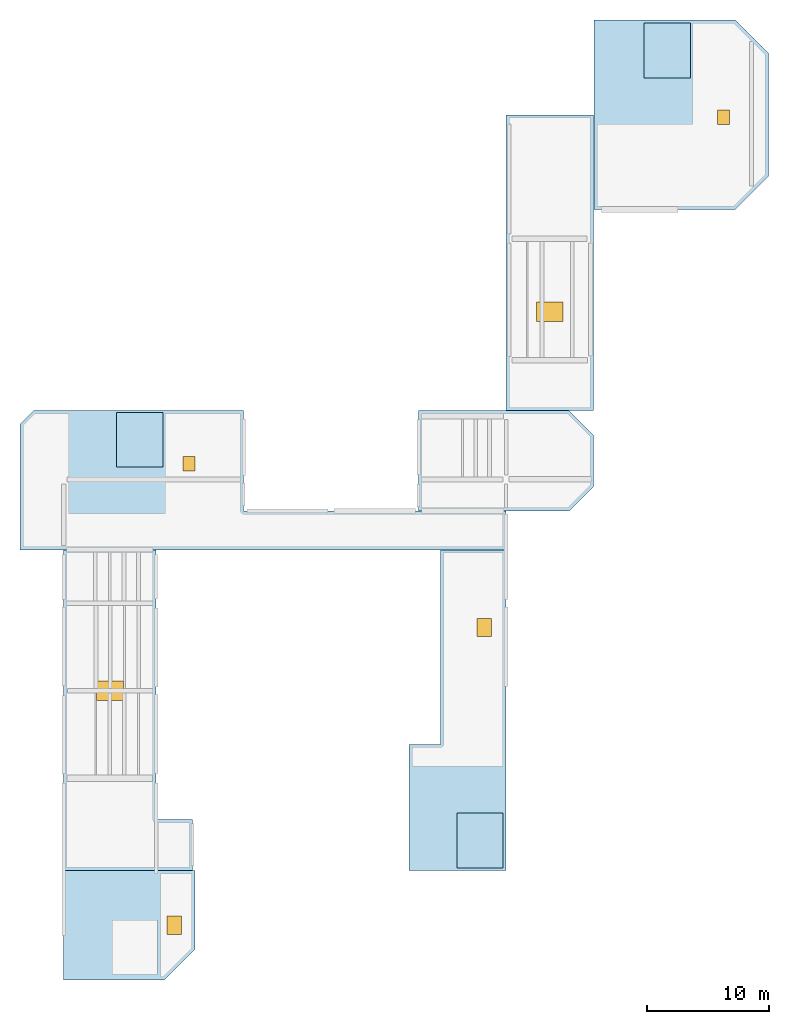
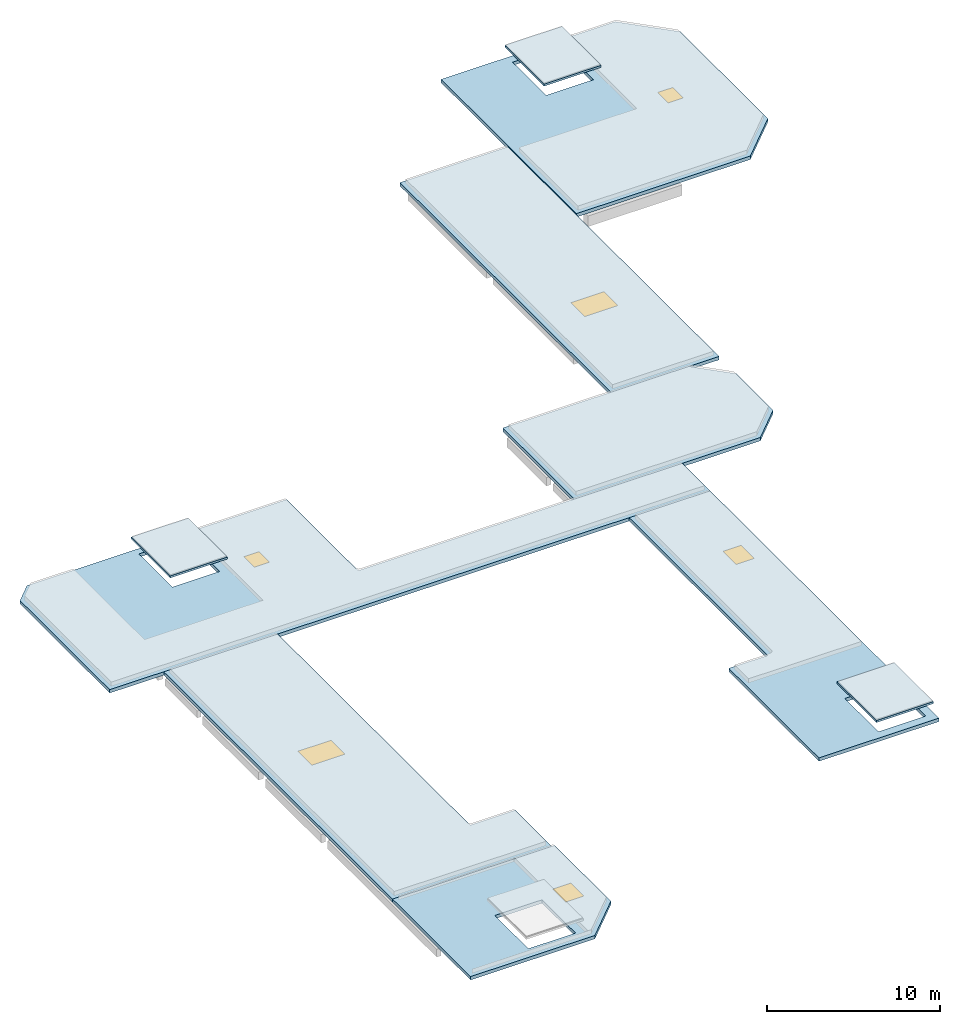
# One storey, part 2 of 3: 10 slabs, 6 windows, 6 openings.
"""IFC4 building model written with IfcOpenShell, lengths in metres."""

from ifc_helpers import new_model, si_unit, direction, frame, origin, origin_2d, place, context, subcontext, project, spatial, polyline, rectangle, outline, extrude, material, layer, layer_set, type_object, element, fill, save


model = new_model("IFC4")

# Units and contexts
model_context = context("Model", 3, precision=1e-05, world=origin(), true_north=direction((0.0, 1.0)))
body_context = subcontext(model_context, "Body", "Model", "MODEL_VIEW")
ifc_project = project(units=[si_unit("LENGTHUNIT", "METRE"), si_unit("AREAUNIT", "SQUARE_METRE"), si_unit("VOLUMEUNIT", "CUBIC_METRE"), si_unit("PLANEANGLEUNIT", "RADIAN"), si_unit("MASSUNIT", "GRAM", prefix="KILO")], contexts=[model_context])

# Site, building, storey
site_placement = place(None, origin())
site = spatial("IfcSite", under=ifc_project, at=site_placement, CompositionType="ELEMENT")
building_placement = place(site_placement, origin())
building = spatial("IfcBuilding", under=site, at=building_placement, Name="Kelanivale Promenade Academy", CompositionType="ELEMENT")
storey_placement = place(building_placement, frame((0.0, 0.0, 24.199951171875)))
storey = spatial("IfcBuildingStorey", under=building, at=storey_placement, Name="RF", CompositionType="ELEMENT", Elevation=24.199951171875)

# Slab, opening, window
ifc_material_1 = material(Name="Concrete C35/45", Category="concrete")
ifc_layer_1 = layer(ifc_material_1, 0.239990234375)
ifc_layer_set_1 = layer_set([ifc_layer_1], Name="Concrete C35/45")
slab_type_1 = type_object("IfcSlabType", Name="RS-01 Slab 240mm", PredefinedType="ROOF", material=ifc_layer_set_1)
slab_1_placement = place(storey_placement, frame((0.0, 0.0, -0.239990234375)))
slab_1 = element("IfcSlab", 1, at=slab_1_placement, inside=storey, type_object=slab_type_1, Name="RF planted roof slab RF-TOP-Z2", PredefinedType="ROOF", context=body_context, shape_type="SweptSolid", body=[
    extrude(outline(polyline([(90.0, 35.52001953125), (90.0, 42.0), (79.199951171875, 42.0), (79.199951171875, 33.0), (87.47998046875, 33.0), (90.0, 35.52001953125)]), holes=[polyline([(86.635009765625, 37.625), (86.635009765625, 33.764892578125), (83.485107421875, 33.764892578125), (83.485107421875, 37.625), (86.635009765625, 37.625)])]), origin(), (0.0, 0.0, 1.0), 0.239990234375),
])
opening_1_placement = place(slab_1_placement, frame((88.300048828125, 37.5, 0.0)))
opening_1 = element("IfcOpeningElement", 2, at=opening_1_placement, cuts=slab_1, Name="Opening RH-06", PredefinedType="OPENING", context=body_context, shape_type="SweptSolid", body=[
    extrude(rectangle(XDim=1.199951171875, YDim=1.5, at=origin_2d()), frame((0.0, 0.0, -0.010009765625)), (0.0, 0.0, 1.0), 0.260009765625),
])
ifc_material_2 = material(Name="Bronze anodised aluminium frame with low-E laminated glass", Category="aluminium")
window_type_1 = type_object("IfcWindowType", Name="RH-02 Skylight 1200x1500", PartitioningType="SINGLE_PANEL", PredefinedType="SKYLIGHT", material=ifc_material_2)
window_1_placement = place(opening_1_placement, frame((0.0, 0.0, 0.18994140625)))
window_1 = element("IfcWindow", 3, at=window_1_placement, inside=storey, type_object=window_type_1, Name="Roof maintenance access hatch RH-06", OverallHeight=1.5, OverallWidth=1.199951171875, PartitioningType="SINGLE_PANEL", PredefinedType="SKYLIGHT", context=body_context, shape_type="SweptSolid", body=[
    extrude(rectangle(XDim=1.199951171875, YDim=1.5, at=origin_2d()), origin(), (0.0, 0.0, 1.0), 0.050048828125),
])
fill(opening_1, window_1)

slab_2_placement = place(storey_placement, frame((0.0, 0.0, -0.239990234375)))
slab_2 = element("IfcSlab", 4, at=slab_2_placement, inside=storey, type_object=slab_type_1, Name="RF planted roof slab RF-TOP-Z5SP", PredefinedType="ROOF", context=body_context, shape_type="SweptSolid", body=[
    extrude(outline(polyline([(86.800048828125, 46.199951171875), (86.800048828125, 68.39990234375), (79.199951171875, 68.39990234375), (79.199951171875, 42.0), (89.800048828125, 42.0), (89.800048828125, 46.199951171875), (86.800048828125, 46.199951171875)])), origin(), (0.0, 0.0, 1.0), 0.239990234375),
])
opening_2_placement = place(slab_2_placement, frame((83.0, 56.800048828125, 0.0)))
opening_2 = element("IfcOpeningElement", 5, at=opening_2_placement, cuts=slab_2, Name="Opening SK-07", PredefinedType="OPENING", context=body_context, shape_type="SweptSolid", body=[
    extrude(rectangle(XDim=2.199951171875, YDim=1.60009765625, at=origin_2d()), frame((0.0, 0.0, -0.010009765625)), (0.0, 0.0, 1.0), 0.260009765625),
])
window_type_2 = type_object("IfcWindowType", Name="SK-02 Skylight 2200x1600", PartitioningType="SINGLE_PANEL", PredefinedType="SKYLIGHT", material=ifc_material_2)
window_2_placement = place(opening_2_placement, frame((0.0, 0.0, 0.18994140625)))
window_2 = element("IfcWindow", 6, at=window_2_placement, inside=storey, type_object=window_type_2, Name="Solar-control skylight SK-02", OverallHeight=1.60009765625, OverallWidth=2.199951171875, PartitioningType="SINGLE_PANEL", PredefinedType="SKYLIGHT", context=body_context, shape_type="SweptSolid", body=[
    extrude(rectangle(XDim=2.199951171875, YDim=1.60009765625, at=origin_2d()), origin(), (0.0, 0.0, 1.0), 0.050048828125),
])
fill(opening_2, window_2)

slab_3_placement = place(storey_placement, frame((0.0, 0.0, -0.239990234375)))
slab_3 = element("IfcSlab", 7, at=slab_3_placement, inside=storey, type_object=slab_type_1, Name="RF planted roof slab RF-TOP-Z6EC", PredefinedType="ROOF", context=body_context, shape_type="SweptSolid", body=[
    extrude(outline(polyline([(110.199951171875, 68.39990234375), (110.199951171875, 52.39990234375), (107.60009765625, 52.39990234375), (107.60009765625, 42.0), (115.60009765625, 42.0), (115.60009765625, 68.39990234375), (110.199951171875, 68.39990234375)]), holes=[polyline([(111.885009765625, 42.56494140625), (111.885009765625, 46.425048828125), (115.034912109375, 46.425048828125), (115.034912109375, 42.56494140625), (111.885009765625, 42.56494140625)])]), origin(), (0.0, 0.0, 1.0), 0.239990234375),
])
opening_3_placement = place(slab_3_placement, frame((113.800048828125, 62.0, 0.0)))
opening_3 = element("IfcOpeningElement", 8, at=opening_3_placement, cuts=slab_3, Name="Opening RH-08", PredefinedType="OPENING", context=body_context, shape_type="SweptSolid", body=[
    extrude(rectangle(XDim=1.199951171875, YDim=1.5, at=origin_2d()), frame((0.0, 0.0, -0.010009765625)), (0.0, 0.0, 1.0), 0.260009765625),
])
window_3_placement = place(opening_3_placement, frame((0.0, 0.0, 0.18994140625)))
window_3 = element("IfcWindow", 9, at=window_3_placement, inside=storey, type_object=window_type_1, Name="Roof maintenance access hatch RH-08", OverallHeight=1.5, OverallWidth=1.199951171875, PartitioningType="SINGLE_PANEL", PredefinedType="SKYLIGHT", context=body_context, shape_type="SweptSolid", body=[
    extrude(rectangle(XDim=1.199951171875, YDim=1.5, at=origin_2d()), origin(), (0.0, 0.0, 1.0), 0.050048828125),
])
fill(opening_3, window_3)

slab_4_placement = place(storey_placement, frame((0.0, 0.0, -0.239990234375)))
slab_4 = element("IfcSlab", 10, at=slab_4_placement, inside=storey, type_object=slab_type_1, Name="RF planted roof slab RF-TOP-Z8", PredefinedType="ROOF", context=body_context, shape_type="SweptSolid", body=[
    extrude(outline(polyline([(94.0, 79.85009765625), (76.699951171875, 79.85009765625), (75.60009765625, 78.75), (75.60009765625, 68.39990234375), (115.60009765625, 68.39990234375), (115.60009765625, 71.60009765625), (94.0, 71.60009765625), (94.0, 79.85009765625)]), holes=[polyline([(87.034912109375, 75.52490234375), (83.885009765625, 75.52490234375), (83.885009765625, 79.385009765625), (87.034912109375, 79.385009765625), (87.034912109375, 75.52490234375)])]), origin(), (0.0, 0.0, 1.0), 0.239990234375),
])
opening_4_placement = place(slab_4_placement, frame((89.5, 75.5, 0.0)))
opening_4 = element("IfcOpeningElement", 11, at=opening_4_placement, cuts=slab_4, Name="Opening RH-09", PredefinedType="OPENING", context=body_context, shape_type="SweptSolid", body=[
    extrude(rectangle(XDim=1.0, YDim=1.199951171875, at=origin_2d()), frame((0.0, 0.0, -0.010009765625)), (0.0, 0.0, 1.0), 0.260009765625),
])
window_type_3 = type_object("IfcWindowType", Name="RH-01 Skylight 1000x1200", PartitioningType="SINGLE_PANEL", PredefinedType="SKYLIGHT", material=ifc_material_2)
window_4_placement = place(opening_4_placement, frame((0.0, 0.0, 0.18994140625)))
window_4 = element("IfcWindow", 12, at=window_4_placement, inside=storey, type_object=window_type_3, Name="Roof maintenance access hatch RH-09", OverallHeight=1.199951171875, OverallWidth=1.0, PartitioningType="SINGLE_PANEL", PredefinedType="SKYLIGHT", context=body_context, shape_type="SweptSolid", body=[
    extrude(rectangle(XDim=1.0, YDim=1.199951171875, at=origin_2d()), origin(), (0.0, 0.0, 1.0), 0.050048828125),
])
fill(opening_4, window_4)

# Slab
slab_5_placement = place(storey_placement, frame((0.0, 0.0, -0.239990234375)))
element("IfcSlab", 13, at=slab_5_placement, inside=storey, type_object=slab_type_1, Name="RF planted roof slab RF-TOP-Z9C", PredefinedType="ROOF", context=body_context, shape_type="SweptSolid", body=[
    extrude(outline(polyline([(122.800048828125, 77.840087890625), (120.7900390625, 79.85009765625), (108.39990234375, 79.85009765625), (108.39990234375, 71.60009765625), (120.7900390625, 71.60009765625), (122.800048828125, 73.610107421875), (122.800048828125, 77.840087890625)])), origin(), (0.0, 0.0, 1.0), 0.239990234375),
])

# Slab, opening, window
slab_6_placement = place(storey_placement, frame((0.0, 0.0, -0.239990234375)))
slab_6 = element("IfcSlab", 14, at=slab_6_placement, inside=storey, type_object=slab_type_1, Name="RF planted roof slab RF-TOP-Z9K", PredefinedType="ROOF", context=body_context, shape_type="SweptSolid", body=[
    extrude(outline(polyline([(122.800048828125, 79.85009765625), (122.800048828125, 104.199951171875), (115.60009765625, 104.199951171875), (115.60009765625, 79.85009765625), (122.800048828125, 79.85009765625)])), origin(), (0.0, 0.0, 1.0), 0.239990234375),
])
opening_5_placement = place(slab_6_placement, frame((119.199951171875, 88.0, 0.0)))
opening_5 = element("IfcOpeningElement", 15, at=opening_5_placement, cuts=slab_6, Name="Opening SK-10", PredefinedType="OPENING", context=body_context, shape_type="SweptSolid", body=[
    extrude(rectangle(XDim=2.199951171875, YDim=1.60009765625, at=origin_2d()), frame((0.0, 0.0, -0.010009765625)), (0.0, 0.0, 1.0), 0.260009765625),
])
window_5_placement = place(opening_5_placement, frame((0.0, 0.0, 0.18994140625)))
window_5 = element("IfcWindow", 16, at=window_5_placement, inside=storey, type_object=window_type_2, Name="Solar-control skylight SK-02", OverallHeight=1.60009765625, OverallWidth=2.199951171875, PartitioningType="SINGLE_PANEL", PredefinedType="SKYLIGHT", context=body_context, shape_type="SweptSolid", body=[
    extrude(rectangle(XDim=2.199951171875, YDim=1.60009765625, at=origin_2d()), origin(), (0.0, 0.0, 1.0), 0.050048828125),
])
fill(opening_5, window_5)

slab_7_placement = place(storey_placement, frame((0.0, 0.0, -0.239990234375)))
slab_7 = element("IfcSlab", 17, at=slab_7_placement, inside=storey, type_object=slab_type_1, Name="RF planted roof slab RF-TOP-Z9M", PredefinedType="ROOF", context=body_context, shape_type="SweptSolid", body=[
    extrude(outline(polyline([(137.199951171875, 109.240966796875), (134.44091796875, 112.0), (122.85009765625, 112.0), (122.85009765625, 96.39990234375), (134.44091796875, 96.39990234375), (137.199951171875, 99.158935546875), (137.199951171875, 109.240966796875)]), holes=[polyline([(127.284912109375, 111.43505859375), (130.43505859375, 111.43505859375), (130.43505859375, 107.574951171875), (127.284912109375, 107.574951171875), (127.284912109375, 111.43505859375)])]), origin(), (0.0, 0.0, 1.0), 0.239990234375),
])
opening_6_placement = place(slab_7_placement, frame((133.5, 104.0, 0.0)))
opening_6 = element("IfcOpeningElement", 18, at=opening_6_placement, cuts=slab_7, Name="Opening RH-11", PredefinedType="OPENING", context=body_context, shape_type="SweptSolid", body=[
    extrude(rectangle(XDim=1.0, YDim=1.199951171875, at=origin_2d()), frame((0.0, 0.0, -0.010009765625)), (0.0, 0.0, 1.0), 0.260009765625),
])
window_6_placement = place(opening_6_placement, frame((0.0, 0.0, 0.18994140625)))
window_6 = element("IfcWindow", 19, at=window_6_placement, inside=storey, type_object=window_type_3, Name="Roof maintenance access hatch RH-11", OverallHeight=1.199951171875, OverallWidth=1.0, PartitioningType="SINGLE_PANEL", PredefinedType="SKYLIGHT", context=body_context, shape_type="SweptSolid", body=[
    extrude(rectangle(XDim=1.0, YDim=1.199951171875, at=origin_2d()), origin(), (0.0, 0.0, 1.0), 0.050048828125),
])
fill(opening_6, window_6)

# Slabs
ifc_layer_2 = layer(ifc_material_1, 0.139892578125)
ifc_layer_set_2 = layer_set([ifc_layer_2], Name="Concrete C35/45")
slab_type_2 = type_object("IfcSlabType", Name="RS-03 Slab 140mm", PredefinedType="ROOF", material=ifc_layer_set_2)
slab_8_placement = place(storey_placement, frame((0.0, 0.0, 0.9599609375)))
element("IfcSlab", 20, at=slab_8_placement, inside=storey, type_object=slab_type_2, Name="CORE-2 lift overrun roof slab", PredefinedType="ROOF", context=body_context, shape_type="SweptSolid", body=[
    extrude(outline(polyline([(83.554931640625, 75.195068359375), (87.364990234375, 75.195068359375), (87.364990234375, 79.715087890625), (83.554931640625, 79.715087890625), (83.554931640625, 75.195068359375)])), origin(), (0.0, 0.0, 1.0), 0.14013671875),
])
slab_9_placement = place(storey_placement, frame((0.0, 0.0, 0.9599609375)))
element("IfcSlab", 21, at=slab_9_placement, inside=storey, type_object=slab_type_2, Name="CORE-3 lift overrun roof slab", PredefinedType="ROOF", context=body_context, shape_type="SweptSolid", body=[
    extrude(outline(polyline([(111.554931640625, 42.235107421875), (115.364990234375, 42.235107421875), (115.364990234375, 46.7548828125), (111.554931640625, 46.7548828125), (111.554931640625, 42.235107421875)])), origin(), (0.0, 0.0, 1.0), 0.14013671875),
])
slab_10_placement = place(storey_placement, frame((0.0, 0.0, 0.9599609375)))
element("IfcSlab", 22, at=slab_10_placement, inside=storey, type_object=slab_type_2, Name="CORE-5 lift overrun roof slab", PredefinedType="ROOF", context=body_context, shape_type="SweptSolid", body=[
    extrude(outline(polyline([(126.955078125, 107.2451171875), (130.764892578125, 107.2451171875), (130.764892578125, 111.764892578125), (126.955078125, 111.764892578125), (126.955078125, 107.2451171875)])), origin(), (0.0, 0.0, 1.0), 0.14013671875),
])

save(model, "model.ifc")
